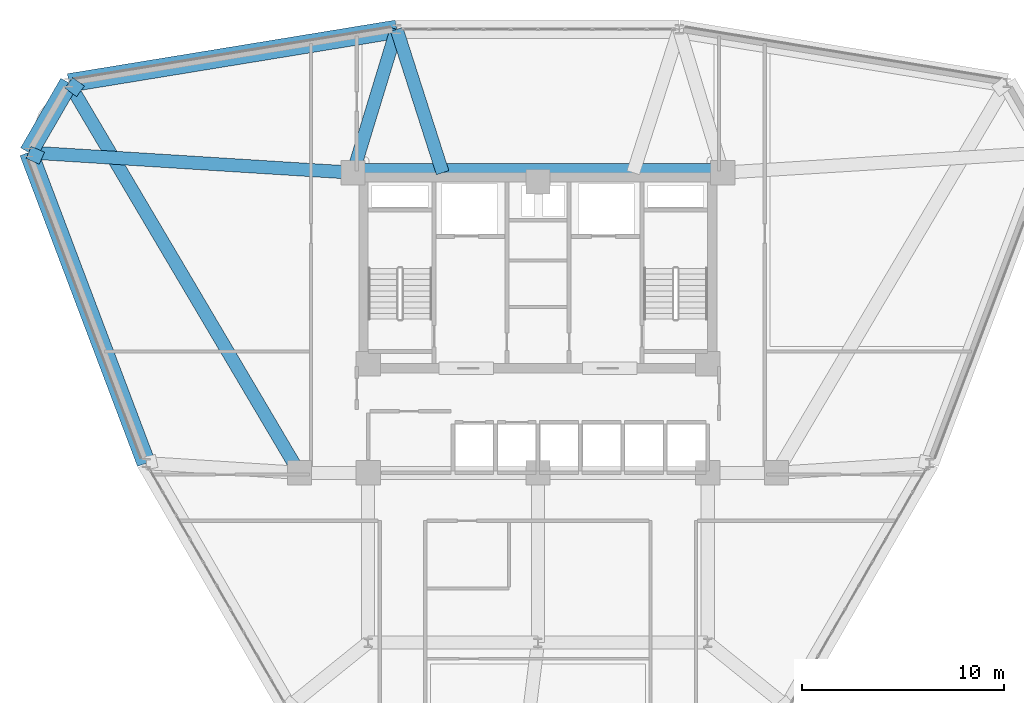
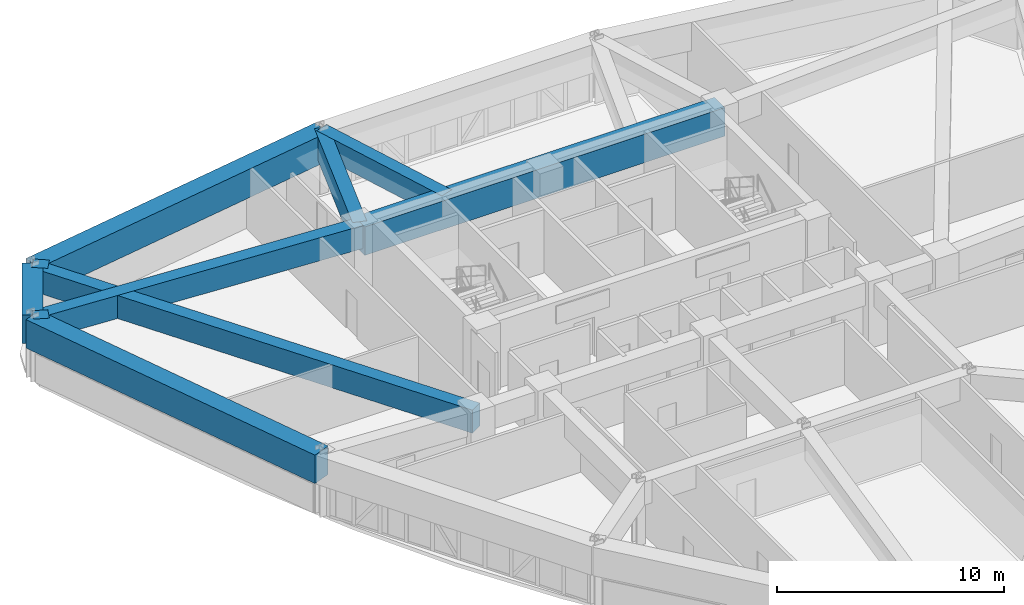
# One storey, part 7 of 15: 10 beams.
"""IFC4 building model written with IfcOpenShell, lengths in metres."""

from ifc_helpers import new_model, si_unit, derived_unit, direction, frame, origin, origin_2d, place, context, subcontext, project, spatial, rectangle, extrude, source, transform, mapped, material, material_profile, profile_set, type_object, element, save


model = new_model("IFC4")

# Units and contexts
model_context = context("Model", 3, precision=1e-05, world=origin(), true_north=direction((0.0, 1.0)))
body_context = subcontext(model_context, "Body", "Model", "MODEL_VIEW")
ifc_project = project(units=[si_unit("LENGTHUNIT", "METRE"), si_unit("AREAUNIT", "SQUARE_METRE"), si_unit("VOLUMEUNIT", "CUBIC_METRE"), si_unit("PLANEANGLEUNIT", "RADIAN"), si_unit("MASSUNIT", "GRAM", prefix="KILO"), derived_unit("THERMALTRANSMITTANCEUNIT", [(si_unit("POWERUNIT", "WATT"), 1), (si_unit("LENGTHUNIT", "METRE"), -2), (si_unit("THERMODYNAMICTEMPERATUREUNIT", "KELVIN"), -1)])], contexts=[model_context])

# Site, building, storey
site_placement = place(None, origin())
site = spatial("IfcSite", under=ifc_project, at=site_placement, CompositionType="ELEMENT")
building_placement = place(site_placement, origin())
building = spatial("IfcBuilding", under=site, at=building_placement, Name="Korsvarv Bourse and Concert Hall", CompositionType="ELEMENT")
storey_placement = place(building_placement, frame((0.0, 0.0, 117.0)))
storey = spatial("IfcBuildingStorey", under=building, at=storey_placement, Name="L29", CompositionType="ELEMENT", Elevation=117.0)

# Beams
ifc_material = material(Name="Concrete C50/60", Category="concrete")
ifc_material_profile_1 = material_profile(ifc_material, rectangle(XDim=0.919921875, YDim=1.530029296875, at=origin_2d()), Name="RC-BM 920x1530")
ifc_profile_set_1 = profile_set([ifc_material_profile_1], Name="Concrete C50/60")
beam_type_1 = type_object("IfcBeamType", Name="BM-TR-154", PredefinedType="BEAM", material=ifc_profile_set_1)
shared_shape_1 = source(origin(), body_context, "Body", "SweptSolid", [
    extrude(rectangle(XDim=0.919921875, YDim=1.530029296875, at=origin_2d()), origin(), (0.0, 0.0, 1.0), 18.2998046875),
])
beam_1_placement = place(storey_placement, frame((26.85009765625, 47.25, 2.635009765625), z_axis=(1.0, 0.0, 0.0), x_axis=(0.0, 1.0, 0.0)))
element("IfcBeam", 1, at=beam_1_placement, inside=storey, type_object=beam_type_1, Name="L29 beam B-TR6", PredefinedType="BEAM", context=body_context, shape_type="MappedRepresentation", body=[
    mapped(shared_shape_1, transform((0.0, 0.0, 0.0), scale=1.0)),
])
shared_shape_2 = source(origin(), body_context, "Body", "SweptSolid", [
    extrude(rectangle(XDim=0.919921875, YDim=1.530029296875, at=origin_2d()), origin(), (0.0, 0.0, 1.0), 3.974609375),
])
beam_2_placement = place(storey_placement, frame((12.79248046875, 51.693603515625, 2.635009765625), z_axis=(-0.499997169302, -0.866027038082, 0.0), x_axis=(0.866027038082, -0.499997169302, 0.0)))
element("IfcBeam", 2, at=beam_2_placement, inside=storey, type_object=beam_type_1, Name="L29 beam B-TR6", PredefinedType="BEAM", context=body_context, shape_type="MappedRepresentation", body=[
    mapped(shared_shape_2, transform((0.0, 0.0, 0.0), scale=1.0)),
])
shared_shape_3 = source(origin(), body_context, "Body", "SweptSolid", [
    extrude(rectangle(XDim=0.919921875, YDim=1.530029296875, at=origin_2d()), origin(), (0.0, 0.0, 1.0), 16.4345703125),
])
beam_3_placement = place(storey_placement, frame((29.011962890625, 54.344482421875, 2.635009765625), z_axis=(-0.986905771887, -0.161297853107, 0.0), x_axis=(0.161297853107, -0.986905771887, 0.0)))
element("IfcBeam", 3, at=beam_3_placement, inside=storey, type_object=beam_type_1, Name="L29 beam B-TR6", PredefinedType="BEAM", context=body_context, shape_type="MappedRepresentation", body=[
    mapped(shared_shape_3, transform((0.0, 0.0, 0.0), scale=1.0)),
])
shared_shape_4 = source(origin(), body_context, "Body", "SweptSolid", [
    extrude(rectangle(XDim=0.919921875, YDim=1.530029296875, at=origin_2d()), origin(), (0.0, 0.0, 1.0), 16.434814453125),
])
beam_4_placement = place(storey_placement, frame((10.80517578125, 48.25146484375, 2.635009765625), z_axis=(0.353759337672, -0.935336480102, 0.0), x_axis=(0.935336480102, 0.353759337672, 0.0)))
element("IfcBeam", 4, at=beam_4_placement, inside=storey, type_object=beam_type_1, Name="L29 beam B-TR6", PredefinedType="BEAM", context=body_context, shape_type="MappedRepresentation", body=[
    mapped(shared_shape_4, transform((0.0, 0.0, 0.0), scale=1.0)),
])
ifc_material_profile_2 = material_profile(ifc_material, rectangle(XDim=0.64990234375, YDim=1.239990234375, at=origin_2d()), Name="RC-BM 650x1240")
ifc_profile_set_2 = profile_set([ifc_material_profile_2], Name="Concrete C50/60")
beam_type_2 = type_object("IfcBeamType", Name="BM-TR-SPN", PredefinedType="BEAM", material=ifc_profile_set_2)
shared_shape_5 = source(origin(), body_context, "Body", "SweptSolid", [
    extrude(rectangle(XDim=0.64990234375, YDim=1.239990234375, at=origin_2d()), origin(), (0.0, 0.0, 1.0), 16.076171875),
])
beam_5_placement = place(storey_placement, frame((10.80517578125, 48.25146484375, 2.780029296875), z_axis=(0.998057775067, -0.062295085108, 0.0), x_axis=(0.062295085108, 0.998057775067, 0.0)))
element("IfcBeam", 5, at=beam_5_placement, inside=storey, type_object=beam_type_2, Name="L29 beam B-TRS", PredefinedType="BEAM", context=body_context, shape_type="MappedRepresentation", body=[
    mapped(shared_shape_5, transform((0.0, 0.0, 0.0), scale=1.0)),
])
shared_shape_6 = source(origin(), body_context, "Body", "SweptSolid", [
    extrude(rectangle(XDim=0.64990234375, YDim=1.239990234375, at=origin_2d()), origin(), (0.0, 0.0, 1.0), 22.413818359375),
])
beam_6_placement = place(storey_placement, frame((12.79248046875, 51.693603515625, 2.780029296875), z_axis=(0.508949112593, -0.860796608259, 0.0), x_axis=(0.860796608259, 0.508949112593, 0.0)))
element("IfcBeam", 6, at=beam_6_placement, inside=storey, type_object=beam_type_2, Name="L29 beam B-TRS", PredefinedType="BEAM", context=body_context, shape_type="MappedRepresentation", body=[
    mapped(shared_shape_6, transform((0.0, 0.0, 0.0), scale=1.0)),
])
shared_shape_7 = source(origin(), body_context, "Body", "SweptSolid", [
    extrude(rectangle(XDim=0.64990234375, YDim=1.239990234375, at=origin_2d()), origin(), (0.0, 0.0, 1.0), 7.41650390625),
])
beam_7_placement = place(storey_placement, frame((29.011962890625, 54.344482421875, 2.780029296875), z_axis=(-0.291491692849, -0.956573359968, 0.0), x_axis=(0.956573359968, -0.291491692849, 0.0)))
element("IfcBeam", 7, at=beam_7_placement, inside=storey, type_object=beam_type_2, Name="L29 beam B-TRS", PredefinedType="BEAM", context=body_context, shape_type="MappedRepresentation", body=[
    mapped(shared_shape_7, transform((0.0, 0.0, 0.0), scale=1.0)),
])
shared_shape_8 = source(origin(), body_context, "Body", "SweptSolid", [
    extrude(rectangle(XDim=0.64990234375, YDim=1.239990234375, at=origin_2d()), origin(), (0.0, 0.0, 1.0), 0.712646484375),
])
for number, where, z_axis, x_axis, name in (
    (8, (12.79248046875, 51.693603515625, 2.780029296875), (0.804986953406, -0.593292512042, 0.0), (0.593292512042, 0.804986953406, 0.0), "L29 beam B-TRS"),
    (9, (10.80517578125, 48.25146484375, 2.780029296875), (0.916322355251, -0.400441433005, 0.0), (0.400441433005, 0.916322355251, 0.0), "L29 beam B-TRS"),
):
    element("IfcBeam", number, at=place(storey_placement, frame(where, z_axis=z_axis, x_axis=x_axis)), inside=storey, type_object=beam_type_2, Name=name, PredefinedType="BEAM", context=body_context, shape_type="MappedRepresentation", body=[
        mapped(shared_shape_8, transform((0.0, 0.0, 0.0), scale=1.0)),
    ])
shared_shape_9 = source(origin(), body_context, "Body", "SweptSolid", [
    extrude(rectangle(XDim=0.64990234375, YDim=1.239990234375, at=origin_2d()), origin(), (0.0, 0.0, 1.0), 7.449951171875),
])
beam_8_placement = place(storey_placement, frame((29.011962890625, 54.344482421875, 2.780029296875), z_axis=(0.30516572203, -0.952299260788, 0.0), x_axis=(0.952299260788, 0.30516572203, 0.0)))
element("IfcBeam", 10, at=beam_8_placement, inside=storey, type_object=beam_type_2, Name="L29 beam B-TRS", PredefinedType="BEAM", context=body_context, shape_type="MappedRepresentation", body=[
    mapped(shared_shape_9, transform((0.0, 0.0, 0.0), scale=1.0)),
])

save(model, "model.ifc")
